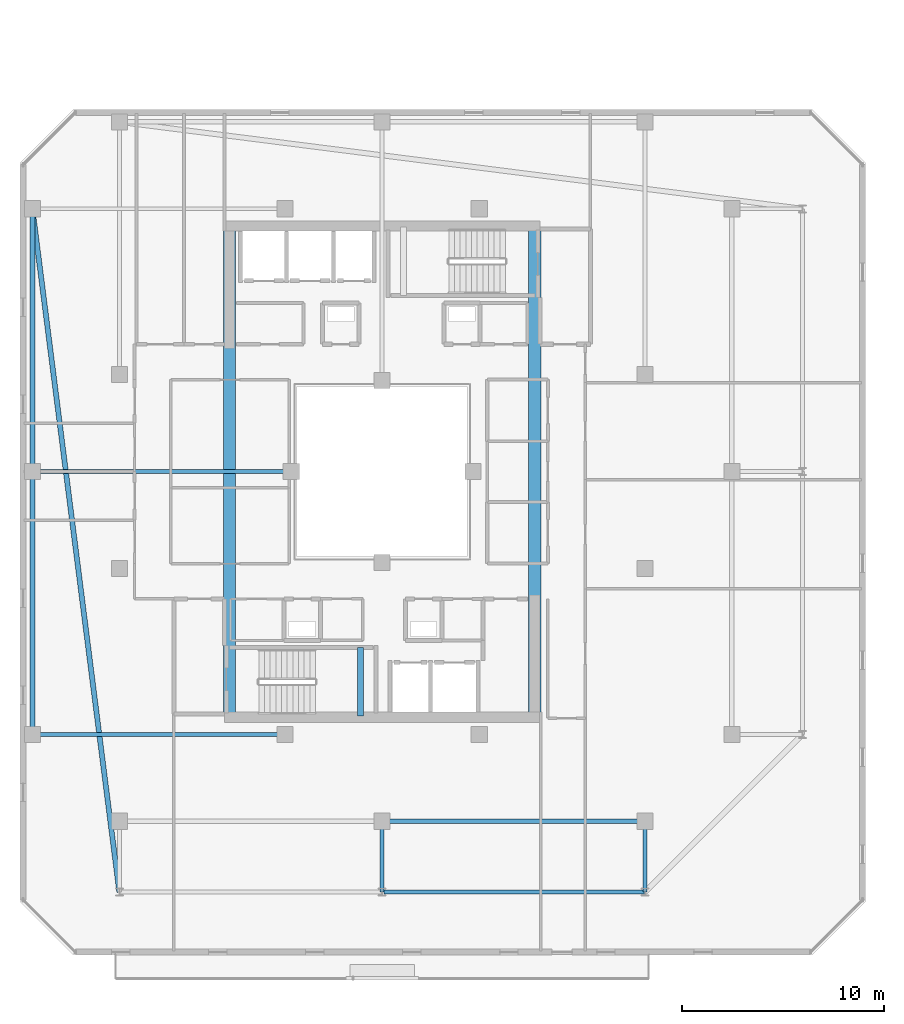
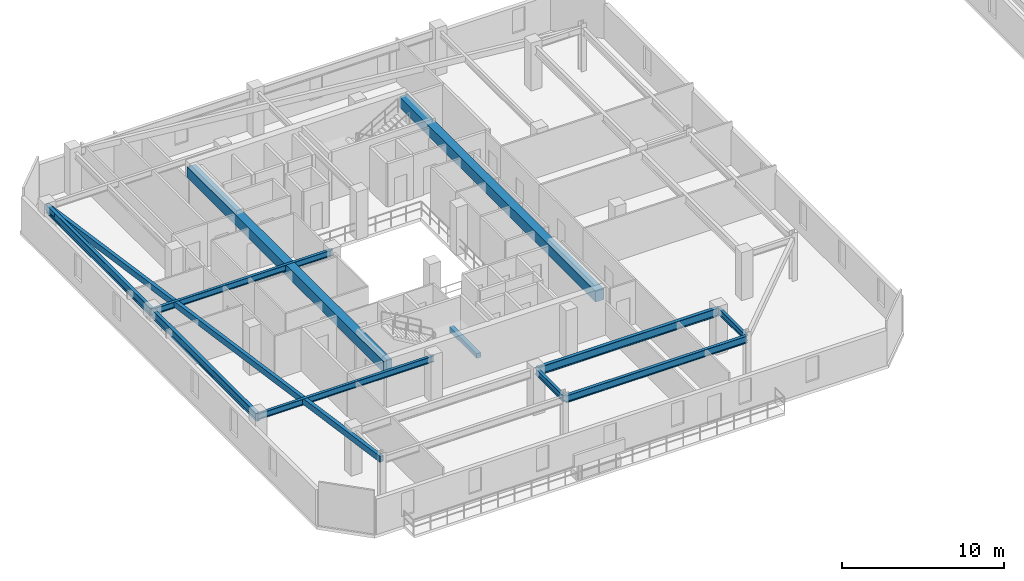
# One storey, part 6 of 35: 12 beams.
"""IFC4 building model written with IfcOpenShell, lengths in metres."""

import ifcopenshell
import ifcopenshell.guid

model = None  # the IFC model being written
_history = None  # IfcOwnerHistory: only IFC2X3 demands one
_inside = {}  # id of a spatial element -> (the spatial element, [elements in it])
_under = {}  # id of a project, library or spatial element -> (it, [spatial elements below it])
_declared = {}  # id of a project -> (the project, [libraries it declares])
_typed = {}  # id of a type object -> (the type object, [elements of that type])
_made_of = {}  # id of a material, layer set ... -> (it, [elements and type objects made of it])


def new_model(schema):
    """Start an empty IFC model of exactly this schema.

    Asked for "IFC4X3", IfcOpenShell would pick the latest addendum, in which some entities
    have other attributes; the version numbers below select the first issue.
    IFC2X3 requires an IfcOwnerHistory on every rooted entity: one is made here for all.
    """
    global model, _history
    if schema == "IFC4X3":
        model = ifcopenshell.file(schema_version=(4, 3, 0, 0))
    else:
        model = ifcopenshell.file(schema=schema)
    _inside.clear()
    _under.clear()
    _declared.clear()
    _typed.clear()
    _made_of.clear()
    _history = None
    if model.schema == "IFC2X3":
        org = make("IfcOrganization", Name="unknown")
        user = make(
            "IfcPersonAndOrganization",
            ThePerson=make("IfcPerson", FamilyName="unknown"),
            TheOrganization=org,
        )
        app = make(
            "IfcApplication",
            ApplicationDeveloper=org,
            Version="unknown",
            ApplicationFullName="unknown",
            ApplicationIdentifier="unknown",
        )
        _history = make(
            "IfcOwnerHistory",
            OwningUser=user,
            OwningApplication=app,
            ChangeAction="ADDED",
            CreationDate=0,
        )
    return model


def make(cls, **values):
    """One entity of the class cls with the attributes given. An attribute that is None is left unset."""
    return model.create_entity(
        cls, **{name: value for name, value in values.items() if value is not None}
    )


def rooted(cls, **values):
    """An entity with a GlobalId (a new one), such as an element, a storey or a relation."""
    return make(cls, GlobalId=ifcopenshell.guid.new(), OwnerHistory=_history, **values)


def si_unit(unit_type, name, prefix=None):
    """IfcSIUnit, for example si_unit("LENGTHUNIT", "METRE", prefix="MILLI")."""
    return make("IfcSIUnit", UnitType=unit_type, Prefix=prefix, Name=name)


def assignment(units):
    """IfcUnitAssignment: the units of a project."""
    return None if units is None else make("IfcUnitAssignment", Units=units)


def point(xyz):
    """IfcCartesianPoint."""
    return None if xyz is None else make("IfcCartesianPoint", Coordinates=xyz)


def direction(xyz):
    """IfcDirection."""
    return None if xyz is None else make("IfcDirection", DirectionRatios=xyz)


def frame(location, z_axis=None, x_axis=None):
    """IfcAxis2Placement3D, a coordinate frame: its origin and axes. An axis left out is left unset."""
    return make(
        "IfcAxis2Placement3D",
        Location=point(location),
        Axis=direction(z_axis),
        RefDirection=direction(x_axis),
    )


def frame_2d(location, x_axis=None):
    """IfcAxis2Placement2D, a coordinate frame in the plane: its origin and x axis."""
    return make(
        "IfcAxis2Placement2D", Location=point(location), RefDirection=direction(x_axis)
    )


def origin():
    """The frame at (0, 0, 0) with its axes left unset."""
    return frame((0.0, 0.0, 0.0))


def origin_2d():
    """The frame at (0, 0) in the plane with its x axis left unset."""
    return frame_2d((0.0, 0.0))


def place(relative_to, where):
    """IfcLocalPlacement: puts the frame where relative to a parent placement (None: the world)."""
    return make(
        "IfcLocalPlacement", PlacementRelTo=relative_to, RelativePlacement=where
    )


def context(
    kind, dimensions, precision=None, world=None, true_north=None, identifier=None
):
    """IfcGeometricRepresentationContext, for example the 3D "Model" context."""
    return make(
        "IfcGeometricRepresentationContext",
        ContextIdentifier=identifier,
        ContextType=kind,
        CoordinateSpaceDimension=dimensions,
        Precision=precision,
        WorldCoordinateSystem=world,
        TrueNorth=true_north,
    )


def subcontext(parent, identifier, kind, view, scale=None):
    """IfcGeometricRepresentationSubContext, for example "Body" below "Model"."""
    return make(
        "IfcGeometricRepresentationSubContext",
        ContextIdentifier=identifier,
        ContextType=kind,
        ParentContext=parent,
        TargetScale=scale,
        TargetView=view,
    )


def project(units=None, contexts=None):
    """IfcProject with its units and contexts."""
    return rooted(
        "IfcProject",
        Name="project",
        RepresentationContexts=contexts,
        UnitsInContext=assignment(units),
    )


def spatial(cls, under=None, at=None, **own):
    """A site, building, storey or space (cls), placed at a placement, below another one or the project."""
    s = rooted(cls, ObjectPlacement=at, **own)
    if under is not None:
        _under.setdefault(under.id(), (under, []))[1].append(s)
    return s


def profile(cls, at=None, kind="AREA", **sizes):
    """A parametric profile (cls). Its sizes go by their IFC names, for example OverallWidth=200.0."""
    return make(cls, ProfileType=kind, Position=at, **sizes)


def rectangle(**sizes):
    """IfcRectangleProfileDef."""
    return profile("IfcRectangleProfileDef", **sizes)


def hollow_rectangle(**sizes):
    """IfcRectangleHollowProfileDef."""
    return profile("IfcRectangleHollowProfileDef", **sizes)


def i_section(**sizes):
    """IfcIShapeProfileDef."""
    return profile("IfcIShapeProfileDef", **sizes)


def extrude(swept, where, along, depth):
    """IfcExtrudedAreaSolid: the profile swept, set in the frame where, extruded along a direction by depth."""
    return make(
        "IfcExtrudedAreaSolid",
        SweptArea=swept,
        Position=where,
        ExtrudedDirection=direction(along),
        Depth=depth,
    )


def shape(context_of_items, identifier, shape_type, items):
    """IfcShapeRepresentation: the items that make up one representation, for example the "Body"."""
    return make(
        "IfcShapeRepresentation",
        ContextOfItems=context_of_items,
        RepresentationIdentifier=identifier,
        RepresentationType=shape_type,
        Items=items,
    )


def material(Name=None, Category=None):
    """IfcMaterial."""
    return make("IfcMaterial", Name=Name, Category=Category)


def material_profile(
    of_material, cross_section, Name=None, Category=None, Priority=None
):
    """IfcMaterialProfile: a cross section and its material."""
    return make(
        "IfcMaterialProfile",
        Name=Name,
        Material=of_material,
        Profile=cross_section,
        Priority=Priority,
        Category=Category,
    )


def profile_set(profiles, Name=None, composite=None):
    """IfcMaterialProfileSet."""
    return make(
        "IfcMaterialProfileSet",
        Name=Name,
        MaterialProfiles=profiles,
        CompositeProfile=composite,
    )


def made_of(thing, what):
    """Note that an element or type object is made of a material, layer set ...; save() writes the relation."""
    if what is not None:
        _made_of.setdefault(what.id(), (what, []))[1].append(thing)
    return thing


def type_object(cls, material=None, **own):
    """A type object (cls), such as IfcWallType, which elements share."""
    return made_of(rooted(cls, **own), material)


def element(
    cls,
    number,
    at=None,
    inside=None,
    cuts=None,
    type_object=None,
    material=None,
    context=None,
    identifier="Body",
    shape_type=None,
    held_by="IfcProductDefinitionShape",
    body=None,
    shapes=None,
    **own,
):
    """One element of the class cls, such as IfcWall. Its Tag is "e" and its number.

    at: its placement. inside: the storey or other place that contains it. cuts: it is an
    opening in that element (IfcRelVoidsElement). A single representation is given by context,
    identifier, shape_type and body (its items); several are given by shapes. held_by: the class
    of the entity that holds the representations. save() writes the other relations.
    """
    e = rooted(cls, Tag="e%d" % number, ObjectPlacement=at, **own)
    if body is not None:
        shapes = [shape(context, identifier, shape_type, body)]
    if shapes is not None:
        e.Representation = make(held_by, Representations=shapes)
    if inside is not None:
        _inside.setdefault(inside.id(), (inside, []))[1].append(e)
    if cuts is not None:
        rooted(
            "IfcRelVoidsElement", RelatingBuildingElement=cuts, RelatedOpeningElement=e
        )
    if type_object is not None:
        _typed.setdefault(type_object.id(), (type_object, []))[1].append(e)
    return made_of(e, material)


def aggregate(whole, parts):
    """IfcRelAggregates: a whole, such as a stair, and the parts it consists of."""
    return rooted("IfcRelAggregates", RelatingObject=whole, RelatedObjects=parts)


def save(model, path):
    """Write the relations noted so far, then the file.

    IfcRelAggregates (storeys below a building ...), IfcRelContainedInSpatialStructure (elements
    in a storey), IfcRelDefinesByType, IfcRelAssociatesMaterial and IfcRelDeclares: one each for
    every whole, place, type object, material and project.
    """
    for whole, parts in _under.values():
        aggregate(whole, parts)
    for where, things in _inside.values():
        rooted(
            "IfcRelContainedInSpatialStructure",
            RelatedElements=things,
            RelatingStructure=where,
        )
    for kind, things in _typed.values():
        rooted("IfcRelDefinesByType", RelatedObjects=things, RelatingType=kind)
    for what, things in _made_of.values():
        rooted("IfcRelAssociatesMaterial", RelatedObjects=things, RelatingMaterial=what)
    for by, libraries in _declared.values():
        rooted("IfcRelDeclares", RelatingContext=by, RelatedDefinitions=libraries)
    model.write(path)


model = new_model("IFC4")

# Units and contexts
model_context = context("Model", 3, precision=1e-05, world=origin(), true_north=direction((0.0, 1.0)))
body_context = subcontext(model_context, "Body", "Model", "MODEL_VIEW")
ifc_project = project(units=[si_unit("LENGTHUNIT", "METRE"), si_unit("AREAUNIT", "SQUARE_METRE"), si_unit("VOLUMEUNIT", "CUBIC_METRE"), si_unit("PLANEANGLEUNIT", "RADIAN"), si_unit("MASSUNIT", "GRAM", prefix="KILO")], contexts=[model_context])

# Site, building, storey
site_placement = place(None, origin())
site = spatial("IfcSite", under=ifc_project, at=site_placement, CompositionType="ELEMENT")
building_placement = place(site_placement, origin())
building = spatial("IfcBuilding", under=site, at=building_placement, Name="Thornwick Lancets Civic Towers", CompositionType="ELEMENT")
storey_placement = place(building_placement, frame((0.0, 0.0, 276.300048828125)))
storey = spatial("IfcBuildingStorey", under=building, at=storey_placement, Name="L74", CompositionType="ELEMENT", Elevation=276.300048828125)

# Beams
ifc_material_1 = material(Name="Concrete C60/75", Category="concrete")
ifc_material_profile_1 = material_profile(ifc_material_1, rectangle(XDim=0.60009765625, YDim=0.800048828125, at=origin_2d()), Name="RC 600x800")
ifc_profile_set_1 = profile_set([ifc_material_profile_1], Name="Concrete C60/75")
beam_type_1 = type_object("IfcBeamType", Name="BM_COUP_RC800", PredefinedType="BEAM", material=ifc_profile_set_1)
for number, where, z_axis, x_axis, name in (
    (1, (33.050048828125, 14.89990234375, 2.8798828125), (0.0, 1.0, 0.0), (-1.0, 0.0, 0.0), "CB-L74-A1"),
    (2, (17.949951171875, 14.89990234375, 2.8798828125), (0.0, 1.0, 0.0), (-1.0, 0.0, 0.0), "CB-L74-A2"),
):
    element("IfcBeam", number, at=place(storey_placement, frame(where, z_axis=z_axis, x_axis=x_axis)), inside=storey, type_object=beam_type_1, Name=name, PredefinedType="BEAM", context=body_context, shape_type="SweptSolid", body=[
        extrude(rectangle(XDim=0.60009765625, YDim=0.800048828125, at=origin_2d()), origin(), (0.0, 0.0, 1.0), 24.2001953125),
    ])
ifc_material_2 = material(Name="Steel S355JR", Category="steel")
ifc_material_profile_2 = material_profile(ifc_material_2, i_section(OverallWidth=0.210693359375, OverallDepth=0.53955078125, WebThickness=0.01171875, FlangeThickness=0.018798828125, FilletRadius=0.0126953125, at=origin_2d()), Name="UKB 533x210x109")
ifc_profile_set_2 = profile_set([ifc_material_profile_2], Name="Steel S355JR")
beam_type_2 = type_object("IfcBeamType", Name="BM_EDGE_533_109", PredefinedType="SPANDREL", material=ifc_profile_set_2)
beam_1_placement = place(storey_placement, frame((25.580078125, 6.199951171875, 3.01025390625), z_axis=(1.0, 0.0, 0.0), x_axis=(0.0, 1.0, 0.0)))
element("IfcBeam", 3, at=beam_1_placement, inside=storey, type_object=beam_type_2, Name="BM-EDGE-L74-A-S0-2", PredefinedType="SPANDREL", context=body_context, shape_type="SweptSolid", body=[
    extrude(i_section(OverallWidth=0.210693359375, OverallDepth=0.53955078125, WebThickness=0.01171875, FlangeThickness=0.018798828125, FilletRadius=0.0126953125, at=origin_2d()), origin(), (0.0, 0.0, 1.0), 12.919921875),
])
ifc_material_profile_3 = material_profile(ifc_material_2, i_section(OverallWidth=0.230224609375, OverallDepth=0.6171875, WebThickness=0.01318359375, FlangeThickness=0.022216796875, FilletRadius=0.0126953125, at=origin_2d()), Name="UKB 610x229x140")
ifc_profile_set_3 = profile_set([ifc_material_profile_3], Name="Steel S355JR")
beam_type_3 = type_object("IfcBeamType", Name="BM_GIRD_610_140", PredefinedType="BEAM", material=ifc_profile_set_3)
beam_2_placement = place(storey_placement, frame((25.580078125, 9.699951171875, 2.971435546875), z_axis=(1.0, 0.0, 0.0), x_axis=(0.0, 1.0, 0.0)))
element("IfcBeam", 4, at=beam_2_placement, inside=storey, type_object=beam_type_3, Name="BM-SPINE-L74-A-1-2", PredefinedType="BEAM", context=body_context, shape_type="SweptSolid", body=[
    extrude(i_section(OverallWidth=0.230224609375, OverallDepth=0.6171875, WebThickness=0.01318359375, FlangeThickness=0.022216796875, FilletRadius=0.0126953125, at=origin_2d()), origin(), (0.0, 0.0, 1.0), 12.919921875),
])
beam_3_placement = place(storey_placement, frame((8.199951171875, 14.0, 2.971435546875), z_axis=(0.0, 1.0, 0.0), x_axis=(-1.0, 0.0, 0.0)))
element("IfcBeam", 5, at=beam_3_placement, inside=storey, type_object=beam_type_3, Name="BM-SPINE-L74-A-9-10", PredefinedType="BEAM", context=body_context, shape_type="SweptSolid", body=[
    extrude(i_section(OverallWidth=0.230224609375, OverallDepth=0.6171875, WebThickness=0.01318359375, FlangeThickness=0.022216796875, FilletRadius=0.0126953125, at=origin_2d()), origin(), (0.0, 0.0, 1.0), 13.0),
])
beam_4_placement = place(storey_placement, frame((8.199951171875, 27.080078125, 2.971435546875), z_axis=(0.0, 1.0, 0.0), x_axis=(-1.0, 0.0, 0.0)))
element("IfcBeam", 6, at=beam_4_placement, inside=storey, type_object=beam_type_3, Name="BM-SPINE-L74-A-10-11", PredefinedType="BEAM", context=body_context, shape_type="SweptSolid", body=[
    extrude(i_section(OverallWidth=0.230224609375, OverallDepth=0.6171875, WebThickness=0.01318359375, FlangeThickness=0.022216796875, FilletRadius=0.0126953125, at=origin_2d()), origin(), (0.0, 0.0, 1.0), 12.919921875),
])
ifc_material_profile_4 = material_profile(ifc_material_2, i_section(OverallWidth=0.19189453125, OverallDepth=0.46337890625, WebThickness=0.010498046875, FlangeThickness=0.017578125, FilletRadius=0.01025390625, at=origin_2d()), Name="UKB 457x191x89")
ifc_profile_set_4 = profile_set([ifc_material_profile_4], Name="Steel S355JR")
beam_type_4 = type_object("IfcBeamType", Name="BM_JOIST_457_89", PredefinedType="JOIST", material=ifc_profile_set_4)
for number, where, z_axis, x_axis, name in (
    (7, (25.5, 9.699951171875, 3.04833984375), (0.0, -1.0, 0.0), (1.0, 0.0, 0.0), "BM-RAD-L74-A02"),
    (8, (38.5, 9.699951171875, 3.04833984375), (0.0, -1.0, 0.0), (1.0, 0.0, 0.0), "BM-RAD-L74-A03"),
):
    element("IfcBeam", number, at=place(storey_placement, frame(where, z_axis=z_axis, x_axis=x_axis)), inside=storey, type_object=beam_type_4, Name=name, PredefinedType="JOIST", context=body_context, shape_type="SweptSolid", body=[
        extrude(i_section(OverallWidth=0.19189453125, OverallDepth=0.46337890625, WebThickness=0.010498046875, FlangeThickness=0.017578125, FilletRadius=0.01025390625, at=origin_2d()), origin(), (0.0, 0.0, 1.0), 3.5),
    ])
beam_5_placement = place(storey_placement, frame((20.699951171875, 14.0, 3.04833984375), z_axis=(-1.0, 0.0, 0.0), x_axis=(0.0, -1.0, 0.0)))
element("IfcBeam", 9, at=beam_5_placement, inside=storey, type_object=beam_type_4, Name="BM-RADIN-L74-A10", PredefinedType="JOIST", context=body_context, shape_type="SweptSolid", body=[
    extrude(i_section(OverallWidth=0.19189453125, OverallDepth=0.46337890625, WebThickness=0.010498046875, FlangeThickness=0.017578125, FilletRadius=0.01025390625, at=origin_2d()), origin(), (0.0, 0.0, 1.0), 12.5),
])
beam_6_placement = place(storey_placement, frame((21.0, 27.0, 3.04833984375), z_axis=(-1.0, 0.0, 0.0), x_axis=(0.0, -1.0, 0.0)))
element("IfcBeam", 10, at=beam_6_placement, inside=storey, type_object=beam_type_4, Name="BM-RADIN-L74-A11", PredefinedType="JOIST", context=body_context, shape_type="SweptSolid", body=[
    extrude(i_section(OverallWidth=0.19189453125, OverallDepth=0.46337890625, WebThickness=0.010498046875, FlangeThickness=0.017578125, FilletRadius=0.01025390625, at=origin_2d()), origin(), (0.0, 0.0, 1.0), 12.800048828125),
])
ifc_material_profile_5 = material_profile(ifc_material_2, hollow_rectangle(XDim=0.25, YDim=0.449951171875, WallThickness=0.01611328125, at=origin_2d()), Name="RHS 450x250x16")
ifc_profile_set_5 = profile_set([ifc_material_profile_5], Name="Steel S355JR")
beam_type_5 = type_object("IfcBeamType", Name="BM_RING_RHS450", PredefinedType="BEAM", material=ifc_profile_set_5)
beam_7_placement = place(storey_placement, frame((8.199951171875, 40.0, 3.054931640625), z_axis=(0.126202998662, -0.992004437051, 0.0), x_axis=(0.992004437051, 0.126202998662, 0.0)))
element("IfcBeam", 11, at=beam_7_placement, inside=storey, type_object=beam_type_5, Name="BM-CHAMF-L74-A-C3", PredefinedType="BEAM", context=body_context, shape_type="SweptSolid", body=[
    extrude(hollow_rectangle(XDim=0.25, YDim=0.449951171875, WallThickness=0.01611328125, at=origin_2d()), origin(), (0.0, 0.0, 1.0), 34.072509765625),
])
ifc_material_3 = material(Name="Concrete C40/50", Category="concrete")
ifc_material_profile_6 = material_profile(ifc_material_3, rectangle(XDim=0.300048828125, YDim=0.35009765625, at=origin_2d()), Name="RC 300x350")
ifc_profile_set_6 = profile_set([ifc_material_profile_6], Name="Concrete C40/50")
beam_type_6 = type_object("IfcBeamType", Name="BM_STAIR_LDG", PredefinedType="BEAM", material=ifc_profile_set_6)
beam_8_placement = place(storey_placement, frame((24.43505859375, 14.89990234375, 1.3779296875), z_axis=(0.0, 1.0, 0.0), x_axis=(-1.0, 0.0, 0.0)))
element("IfcBeam", 12, at=beam_8_placement, inside=storey, type_object=beam_type_6, Name="L74 ST-A1 Landing Support Beam 1", PredefinedType="BEAM", context=body_context, shape_type="SweptSolid", body=[
    extrude(rectangle(XDim=0.300048828125, YDim=0.35009765625, at=origin_2d()), origin(), (0.0, 0.0, 1.0), 3.400146484375),
])

save(model, "model.ifc")
